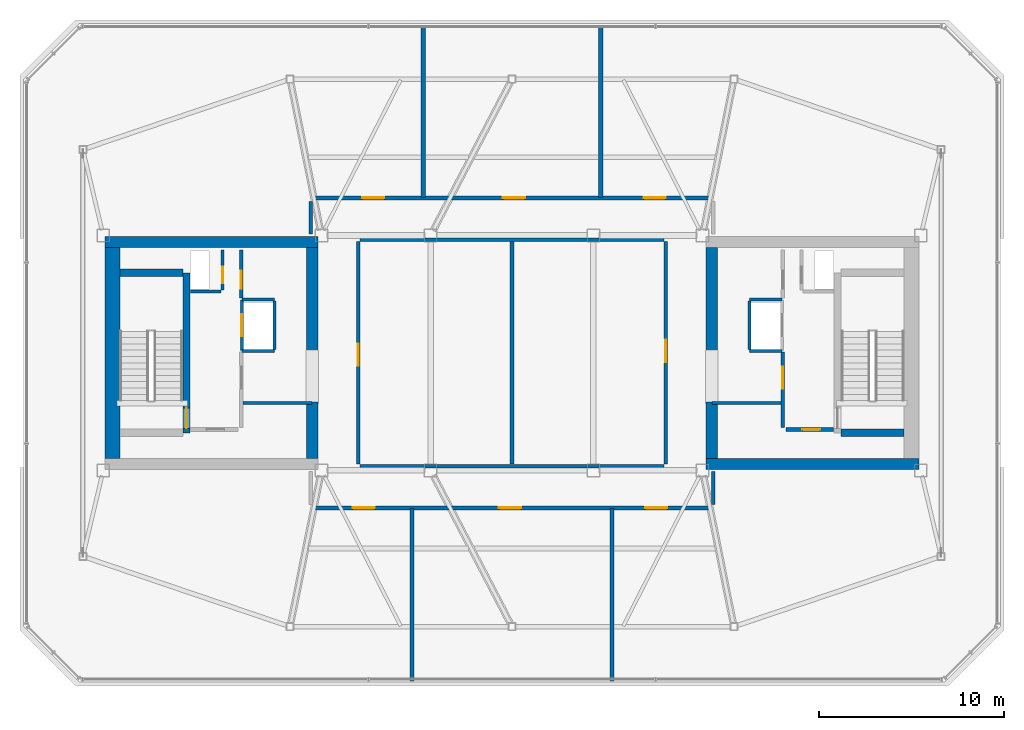
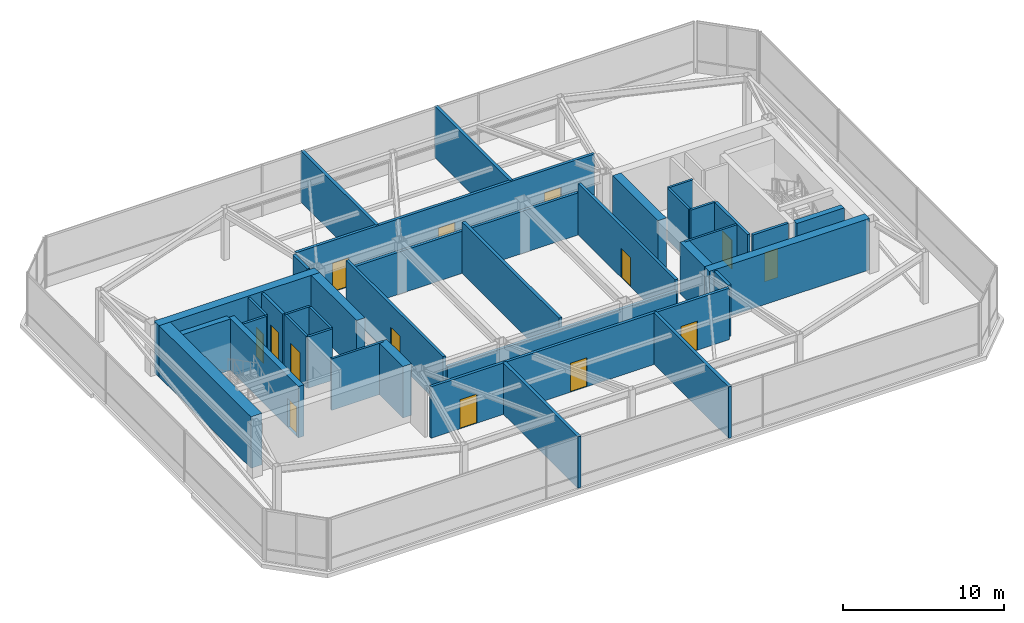
# One storey, part 17 of 21: 37 walls, 14 doors, 14 openings.
"""IFC4 building model written with IfcOpenShell, lengths in metres."""

from ifc_helpers import new_model, si_unit, direction, frame, frame_2d, origin, place, context, subcontext, project, spatial, rectangle, extrude, material, layer, layer_set, type_object, element, fill, save


model = new_model("IFC4")

# Units and contexts
model_context = context("Model", 3, precision=1e-05, world=origin(), true_north=direction((0.0, 1.0)))
body_context = subcontext(model_context, "Body", "Model", "MODEL_VIEW")
ifc_project = project(units=[si_unit("LENGTHUNIT", "METRE"), si_unit("AREAUNIT", "SQUARE_METRE"), si_unit("VOLUMEUNIT", "CUBIC_METRE"), si_unit("PLANEANGLEUNIT", "RADIAN"), si_unit("MASSUNIT", "GRAM", prefix="KILO")], contexts=[model_context])

# Site, building, storey
site_placement = place(None, origin())
site = spatial("IfcSite", under=ifc_project, at=site_placement, CompositionType="ELEMENT")
building_placement = place(site_placement, origin())
building = spatial("IfcBuilding", under=site, at=building_placement, Name="Tavrogorsk Clinical Tower", CompositionType="ELEMENT")
storey_placement = place(building_placement, frame((0.0, 0.0, 348.60009765625)))
storey = spatial("IfcBuildingStorey", under=building, at=storey_placement, Name="L81", CompositionType="ELEMENT", Elevation=348.60009765625)

# Wall, opening, door
ifc_material_1 = material(Name="Concrete B60", Category="concrete")
ifc_layer_1 = layer(ifc_material_1, 0.199951171875)
ifc_layer_set_1 = layer_set([ifc_layer_1], Name="Concrete B60")
wall_type_1 = type_object("IfcWallType", Name="CoreFireWall_200", PredefinedType="SOLIDWALL", material=ifc_layer_set_1)
wall_1_placement = place(storey_placement, frame((-14.639892578125, 2.9599609375, 0.0), z_axis=(0.0, 0.0, 1.0), x_axis=(0.0, 1.0, 0.0)))
wall_1 = element("IfcWall", 1, at=wall_1_placement, inside=storey, type_object=wall_type_1, Name="L81 Core West North Core Room East Wall", PredefinedType="SOLIDWALL", context=body_context, shape_type="SweptSolid", body=[
    extrude(rectangle(XDim=2.60009765625, YDim=0.199951171875, at=frame_2d((1.300048828125, 0.0))), origin(), (0.0, 0.0, 1.0), 3.89990234375),
])
opening_1_placement = place(wall_1_placement, frame((0.52001953125, 0.0, 0.0)))
opening_1 = element("IfcOpeningElement", 2, at=opening_1_placement, cuts=wall_1, Name="Opening ID-02", PredefinedType="OPENING", context=body_context, shape_type="SweptSolid", body=[
    extrude(rectangle(XDim=0.949951171875, YDim=2.199951171875, at=frame_2d((0.47509765625, 1.10009765625))), frame((0.0, 0.10986328125, 0.0), z_axis=(0.0, -1.0, 0.0), x_axis=(1.0, 0.0, 0.0)), (0.0, 0.0, 1.0), 0.219970703125),
])
ifc_material_2 = material(Name="Laminated timber leaf on aluminium frame", Category="wood")
door_type_1 = type_object("IfcDoorType", Name="InteriorDoor_ID02_950", OperationType="NOTDEFINED", PredefinedType="DOOR", material=ifc_material_2)
door_1_placement = place(opening_1_placement, origin())
door_1 = element("IfcDoor", 3, at=door_1_placement, inside=storey, type_object=door_type_1, Name="L81 Core West Core Telemetry Room Door", OperationType="SINGLE_SWING_LEFT", OverallHeight=2.199951171875, OverallWidth=0.949951171875, PredefinedType="DOOR", context=body_context, shape_type="SweptSolid", body=[
    extrude(rectangle(XDim=0.949951171875, YDim=2.199951171875, at=frame_2d((0.47509765625, 1.10009765625))), frame((0.0, 0.02490234375, 0.0), z_axis=(0.0, -1.0, 0.0), x_axis=(1.0, 0.0, 0.0)), (0.0, 0.0, 1.0), 0.050048828125),
])
fill(opening_1, door_1)

wall_2_placement = place(storey_placement, frame((14.824951171875, -4.139892578125, 0.0), z_axis=(0.0, 0.0, 1.0), x_axis=(1.0, 0.0, 0.0)))
wall_2 = element("IfcWall", 4, at=wall_2_placement, inside=storey, type_object=wall_type_1, Name="L81 Core East South Core Room Fire Wall", PredefinedType="SOLIDWALL", context=body_context, shape_type="SweptSolid", body=[
    extrude(rectangle(XDim=2.554931640625, YDim=0.199951171875, at=frame_2d((1.27734375, 0.0))), origin(), (0.0, 0.0, 1.0), 3.89990234375),
])
opening_2_placement = place(wall_2_placement, frame((0.8798828125, 0.0, 0.0)))
opening_2 = element("IfcOpeningElement", 5, at=opening_2_placement, cuts=wall_2, Name="Opening ID-02", PredefinedType="OPENING", context=body_context, shape_type="SweptSolid", body=[
    extrude(rectangle(XDim=0.949951171875, YDim=2.199951171875, at=frame_2d((0.47509765625, 1.10009765625))), frame((0.0, 0.10986328125, 0.0), z_axis=(0.0, -1.0, 0.0), x_axis=(1.0, 0.0, 0.0)), (0.0, 0.0, 1.0), 0.219970703125),
])
door_2_placement = place(opening_2_placement, origin())
door_2 = element("IfcDoor", 6, at=door_2_placement, inside=storey, type_object=door_type_1, Name="L81 Core East South Core Room Door", OperationType="SINGLE_SWING_RIGHT", OverallHeight=2.199951171875, OverallWidth=0.949951171875, PredefinedType="DOOR", context=body_context, shape_type="SweptSolid", body=[
    extrude(rectangle(XDim=0.949951171875, YDim=2.199951171875, at=frame_2d((0.47509765625, 1.10009765625))), frame((0.0, 0.02490234375, 0.0), z_axis=(0.0, -1.0, 0.0), x_axis=(1.0, 0.0, 0.0)), (0.0, 0.0, 1.0), 0.050048828125),
])
fill(opening_2, door_2)

wall_3_placement = place(storey_placement, frame((14.639892578125, -4.034912109375, 0.0), z_axis=(0.0, 0.0, 1.0), x_axis=(0.0, 1.0, 0.0)))
wall_3 = element("IfcWall", 7, at=wall_3_placement, inside=storey, type_object=wall_type_1, Name="L81 Core East Firefighting Lobby Fire Wall", PredefinedType="SOLIDWALL", context=body_context, shape_type="SweptSolid", body=[
    extrude(rectangle(XDim=4.074951171875, YDim=0.199951171875, at=frame_2d((2.03759765625, 0.0))), origin(), (0.0, 0.0, 1.0), 3.89990234375),
])
opening_3_placement = place(wall_3_placement, frame((2.090087890625, 0.0, 0.0)))
opening_3 = element("IfcOpeningElement", 8, at=opening_3_placement, cuts=wall_3, Name="Opening FD-01", PredefinedType="OPENING", context=body_context, shape_type="SweptSolid", body=[
    extrude(rectangle(XDim=1.199951171875, YDim=2.199951171875, at=frame_2d((0.60009765625, 1.10009765625))), frame((0.0, 0.10986328125, 0.0), z_axis=(0.0, -1.0, 0.0), x_axis=(1.0, 0.0, 0.0)), (0.0, 0.0, 1.0), 0.219970703125),
])
ifc_material_3 = material(Name="Galvanised steel fire-rated door assembly", Category="steel")
door_type_2 = type_object("IfcDoorType", Name="FireDoor_FD01_1200", OperationType="NOTDEFINED", PredefinedType="DOOR", material=ifc_material_3)
door_3_placement = place(opening_3_placement, origin())
door_3 = element("IfcDoor", 9, at=door_3_placement, inside=storey, type_object=door_type_2, Name="L81 Core East Firefighting Lobby Entry Door", OperationType="SINGLE_SWING_RIGHT", OverallHeight=2.199951171875, OverallWidth=1.199951171875, PredefinedType="DOOR", context=body_context, shape_type="SweptSolid", body=[
    extrude(rectangle(XDim=1.199951171875, YDim=2.199951171875, at=frame_2d((0.60009765625, 1.10009765625))), frame((0.0, 0.02490234375, 0.0), z_axis=(0.0, -1.0, 0.0), x_axis=(1.0, 0.0, 0.0)), (0.0, 0.0, 1.0), 0.050048828125),
])
fill(opening_3, door_3)

# Wall
wall_4_placement = place(storey_placement, frame((-10.8798828125, 6.419921875, 0.0), z_axis=(0.0, 0.0, 1.0), x_axis=(0.0, 1.0, 0.0)))
element("IfcWall", 10, at=wall_4_placement, inside=storey, type_object=wall_type_1, Name="L81 Crown Corridor Wall 02", PredefinedType="SOLIDWALL", context=body_context, shape_type="SweptSolid", body=[
    extrude(rectangle(XDim=1.775146484375, YDim=0.199951171875, at=frame_2d((0.8876953125, 0.0))), origin(), (0.0, 0.0, 1.0), 3.89990234375),
])

# Wall, openings, doors
wall_5_placement = place(storey_placement, frame((-10.695068359375, 8.3798828125, 0.0), z_axis=(0.0, 0.0, 1.0), x_axis=(1.0, 0.0, 0.0)))
wall_5 = element("IfcWall", 11, at=wall_5_placement, inside=storey, type_object=wall_type_1, Name="L81 Crown Corridor Wall 03", PredefinedType="SOLIDWALL", context=body_context, shape_type="SweptSolid", body=[
    extrude(rectangle(XDim=21.39013671875, YDim=0.199951171875, at=frame_2d((10.695068359375, 0.0))), origin(), (0.0, 0.0, 1.0), 3.89990234375),
])
opening_4_placement = place(wall_5_placement, frame((10.199951171875, 0.0, 0.0)))
opening_4 = element("IfcOpeningElement", 12, at=opening_4_placement, cuts=wall_5, Name="Opening FD-01", PredefinedType="OPENING", context=body_context, shape_type="SweptSolid", body=[
    extrude(rectangle(XDim=1.199951171875, YDim=2.199951171875, at=frame_2d((0.60009765625, 1.10009765625))), frame((0.0, 0.10986328125, 0.0), z_axis=(0.0, -1.0, 0.0), x_axis=(1.0, 0.0, 0.0)), (0.0, 0.0, 1.0), 0.219970703125),
])
opening_5_placement = place(wall_5_placement, frame((2.593994140625, 0.0, 0.0)))
opening_5 = element("IfcOpeningElement", 13, at=opening_5_placement, cuts=wall_5, Name="Opening FD-01", PredefinedType="OPENING", context=body_context, shape_type="SweptSolid", body=[
    extrude(rectangle(XDim=1.199951171875, YDim=2.199951171875, at=frame_2d((0.60009765625, 1.10009765625))), frame((0.0, 0.10986328125, 0.0), z_axis=(0.0, -1.0, 0.0), x_axis=(1.0, 0.0, 0.0)), (0.0, 0.0, 1.0), 0.219970703125),
])
opening_6_placement = place(wall_5_placement, frame((17.805908203125, 0.0, 0.0)))
opening_6 = element("IfcOpeningElement", 14, at=opening_6_placement, cuts=wall_5, Name="Opening FD-01", PredefinedType="OPENING", context=body_context, shape_type="SweptSolid", body=[
    extrude(rectangle(XDim=1.199951171875, YDim=2.199951171875, at=frame_2d((0.60009765625, 1.10009765625))), frame((0.0, 0.10986328125, 0.0), z_axis=(0.0, -1.0, 0.0), x_axis=(1.0, 0.0, 0.0)), (0.0, 0.0, 1.0), 0.219970703125),
])
door_4_placement = place(opening_4_placement, origin())
door_4 = element("IfcDoor", 15, at=door_4_placement, inside=storey, type_object=door_type_2, Name="L81 Medium-Voltage Transformer Plant N Door", OperationType="SINGLE_SWING_RIGHT", OverallHeight=2.199951171875, OverallWidth=1.199951171875, PredefinedType="DOOR", context=body_context, shape_type="SweptSolid", body=[
    extrude(rectangle(XDim=1.199951171875, YDim=2.199951171875, at=frame_2d((0.60009765625, 1.10009765625))), frame((0.0, 0.02490234375, 0.0), z_axis=(0.0, -1.0, 0.0), x_axis=(1.0, 0.0, 0.0)), (0.0, 0.0, 1.0), 0.050048828125),
])
fill(opening_4, door_4)
door_5_placement = place(opening_5_placement, origin())
door_5 = element("IfcDoor", 16, at=door_5_placement, inside=storey, type_object=door_type_2, Name="L81 Glycol Pump & Expansion Plant WN Door", OperationType="SINGLE_SWING_LEFT", OverallHeight=2.199951171875, OverallWidth=1.199951171875, PredefinedType="DOOR", context=body_context, shape_type="SweptSolid", body=[
    extrude(rectangle(XDim=1.199951171875, YDim=2.199951171875, at=frame_2d((0.60009765625, 1.10009765625))), frame((0.0, 0.02490234375, 0.0), z_axis=(0.0, -1.0, 0.0), x_axis=(1.0, 0.0, 0.0)), (0.0, 0.0, 1.0), 0.050048828125),
])
fill(opening_5, door_5)
door_6_placement = place(opening_6_placement, origin())
door_6 = element("IfcDoor", 17, at=door_6_placement, inside=storey, type_object=door_type_2, Name="L81 Glycol Pump & Expansion Plant EN Door", OperationType="SINGLE_SWING_RIGHT", OverallHeight=2.199951171875, OverallWidth=1.199951171875, PredefinedType="DOOR", context=body_context, shape_type="SweptSolid", body=[
    extrude(rectangle(XDim=1.199951171875, YDim=2.199951171875, at=frame_2d((0.60009765625, 1.10009765625))), frame((0.0, 0.02490234375, 0.0), z_axis=(0.0, -1.0, 0.0), x_axis=(1.0, 0.0, 0.0)), (0.0, 0.0, 1.0), 0.050048828125),
])
fill(opening_6, door_6)

# Wall
wall_6_placement = place(storey_placement, frame((10.8798828125, -6.419921875, 0.0), z_axis=(0.0, 0.0, 1.0), x_axis=(0.0, -1.0, 0.0)))
element("IfcWall", 18, at=wall_6_placement, inside=storey, type_object=wall_type_1, Name="L81 Crown Corridor Wall 05", PredefinedType="SOLIDWALL", context=body_context, shape_type="SweptSolid", body=[
    extrude(rectangle(XDim=1.775146484375, YDim=0.199951171875, at=frame_2d((0.8876953125, 0.0))), origin(), (0.0, 0.0, 1.0), 3.89990234375),
])

# Wall, openings, doors
wall_7_placement = place(storey_placement, frame((10.695068359375, -8.3798828125, 0.0), z_axis=(0.0, 0.0, 1.0), x_axis=(-1.0, 0.0, 0.0)))
wall_7 = element("IfcWall", 19, at=wall_7_placement, inside=storey, type_object=wall_type_1, Name="L81 Crown Corridor Wall 06", PredefinedType="SOLIDWALL", context=body_context, shape_type="SweptSolid", body=[
    extrude(rectangle(XDim=21.39013671875, YDim=0.199951171875, at=frame_2d((10.695068359375, 0.0))), origin(), (0.0, 0.0, 1.0), 3.89990234375),
])
opening_7_placement = place(wall_7_placement, frame((10.199951171875, 0.0, 0.0)))
opening_7 = element("IfcOpeningElement", 20, at=opening_7_placement, cuts=wall_7, Name="Opening FD-01", PredefinedType="OPENING", context=body_context, shape_type="SweptSolid", body=[
    extrude(rectangle(XDim=1.199951171875, YDim=2.199951171875, at=frame_2d((0.60009765625, 1.10009765625))), frame((0.0, 0.10986328125, 0.0), z_axis=(0.0, -1.0, 0.0), x_axis=(1.0, 0.0, 0.0)), (0.0, 0.0, 1.0), 0.219970703125),
])
opening_8_placement = place(wall_7_placement, frame((18.10595703125, 0.0, 0.0)))
opening_8 = element("IfcOpeningElement", 21, at=opening_8_placement, cuts=wall_7, Name="Opening FD-01", PredefinedType="OPENING", context=body_context, shape_type="SweptSolid", body=[
    extrude(rectangle(XDim=1.199951171875, YDim=2.199951171875, at=frame_2d((0.60009765625, 1.10009765625))), frame((0.0, 0.10986328125, 0.0), z_axis=(0.0, -1.0, 0.0), x_axis=(1.0, 0.0, 0.0)), (0.0, 0.0, 1.0), 0.219970703125),
])
opening_9_placement = place(wall_7_placement, frame((2.294189453125, 0.0, 0.0)))
opening_9 = element("IfcOpeningElement", 22, at=opening_9_placement, cuts=wall_7, Name="Opening FD-01", PredefinedType="OPENING", context=body_context, shape_type="SweptSolid", body=[
    extrude(rectangle(XDim=1.199951171875, YDim=2.199951171875, at=frame_2d((0.60009765625, 1.10009765625))), frame((0.0, 0.10986328125, 0.0), z_axis=(0.0, -1.0, 0.0), x_axis=(1.0, 0.0, 0.0)), (0.0, 0.0, 1.0), 0.219970703125),
])
door_7_placement = place(opening_7_placement, origin())
door_7 = element("IfcDoor", 23, at=door_7_placement, inside=storey, type_object=door_type_2, Name="L81 Heat-Recovery & Smoke AHU Plant S Door", OperationType="SINGLE_SWING_LEFT", OverallHeight=2.199951171875, OverallWidth=1.199951171875, PredefinedType="DOOR", context=body_context, shape_type="SweptSolid", body=[
    extrude(rectangle(XDim=1.199951171875, YDim=2.199951171875, at=frame_2d((0.60009765625, 1.10009765625))), frame((0.0, 0.02490234375, 0.0), z_axis=(0.0, -1.0, 0.0), x_axis=(1.0, 0.0, 0.0)), (0.0, 0.0, 1.0), 0.050048828125),
])
fill(opening_7, door_7)
door_8_placement = place(opening_8_placement, origin())
door_8 = element("IfcDoor", 24, at=door_8_placement, inside=storey, type_object=door_type_2, Name="L81 Pressurisation Fan Plant WS Door", OperationType="SINGLE_SWING_LEFT", OverallHeight=2.199951171875, OverallWidth=1.199951171875, PredefinedType="DOOR", context=body_context, shape_type="SweptSolid", body=[
    extrude(rectangle(XDim=1.199951171875, YDim=2.199951171875, at=frame_2d((0.60009765625, 1.10009765625))), frame((0.0, 0.02490234375, 0.0), z_axis=(0.0, -1.0, 0.0), x_axis=(1.0, 0.0, 0.0)), (0.0, 0.0, 1.0), 0.050048828125),
])
fill(opening_8, door_8)
door_9_placement = place(opening_9_placement, origin())
door_9 = element("IfcDoor", 25, at=door_9_placement, inside=storey, type_object=door_type_2, Name="L81 Pressurisation Fan Plant ES Door", OperationType="SINGLE_SWING_RIGHT", OverallHeight=2.199951171875, OverallWidth=1.199951171875, PredefinedType="DOOR", context=body_context, shape_type="SweptSolid", body=[
    extrude(rectangle(XDim=1.199951171875, YDim=2.199951171875, at=frame_2d((0.60009765625, 1.10009765625))), frame((0.0, 0.02490234375, 0.0), z_axis=(0.0, -1.0, 0.0), x_axis=(1.0, 0.0, 0.0)), (0.0, 0.0, 1.0), 0.050048828125),
])
fill(opening_9, door_9)

# Wall, opening, door
wall_8_placement = place(storey_placement, frame((8.320068359375, -6.014892578125, 0.0), z_axis=(0.0, 0.0, 1.0), x_axis=(0.0, 1.0, 0.0)))
wall_8 = element("IfcWall", 26, at=wall_8_placement, inside=storey, type_object=wall_type_1, Name="L81 Crown Corridor Wall 07", PredefinedType="SOLIDWALL", context=body_context, shape_type="SweptSolid", body=[
    extrude(rectangle(XDim=12.02978515625, YDim=0.199951171875, at=frame_2d((6.014892578125, 0.0))), origin(), (0.0, 0.0, 1.0), 3.89990234375),
])
opening_10_placement = place(wall_8_placement, frame((5.52001953125, 0.0, 0.0)))
opening_10 = element("IfcOpeningElement", 27, at=opening_10_placement, cuts=wall_8, Name="Opening FD-01", PredefinedType="OPENING", context=body_context, shape_type="SweptSolid", body=[
    extrude(rectangle(XDim=1.199951171875, YDim=2.199951171875, at=frame_2d((0.60009765625, 1.10009765625))), frame((0.0, 0.10986328125, 0.0), z_axis=(0.0, -1.0, 0.0), x_axis=(1.0, 0.0, 0.0)), (0.0, 0.0, 1.0), 0.219970703125),
])
door_10_placement = place(opening_10_placement, origin())
door_10 = element("IfcDoor", 28, at=door_10_placement, inside=storey, type_object=door_type_2, Name="L81 East Helipad Power & UPS Plant Door", OperationType="SINGLE_SWING_RIGHT", OverallHeight=2.199951171875, OverallWidth=1.199951171875, PredefinedType="DOOR", context=body_context, shape_type="SweptSolid", body=[
    extrude(rectangle(XDim=1.199951171875, YDim=2.199951171875, at=frame_2d((0.60009765625, 1.10009765625))), frame((0.0, 0.02490234375, 0.0), z_axis=(0.0, -1.0, 0.0), x_axis=(1.0, 0.0, 0.0)), (0.0, 0.0, 1.0), 0.050048828125),
])
fill(opening_10, door_10)

# Wall
wall_9_placement = place(storey_placement, frame((8.215087890625, 6.1201171875, 0.0), z_axis=(0.0, 0.0, 1.0), x_axis=(-1.0, 0.0, 0.0)))
element("IfcWall", 29, at=wall_9_placement, inside=storey, type_object=wall_type_1, Name="L81 Crown Corridor Wall 08", PredefinedType="SOLIDWALL", context=body_context, shape_type="SweptSolid", body=[
    extrude(rectangle(XDim=16.43017578125, YDim=0.199951171875, at=frame_2d((8.215087890625, 0.0))), origin(), (0.0, 0.0, 1.0), 3.19482421875),
])

# Wall, opening, door
wall_10_placement = place(storey_placement, frame((-8.320068359375, 6.014892578125, 0.0), z_axis=(0.0, 0.0, 1.0), x_axis=(0.0, -1.0, 0.0)))
wall_10 = element("IfcWall", 30, at=wall_10_placement, inside=storey, type_object=wall_type_1, Name="L81 Crown Corridor Wall 09", PredefinedType="SOLIDWALL", context=body_context, shape_type="SweptSolid", body=[
    extrude(rectangle(XDim=12.02978515625, YDim=0.199951171875, at=frame_2d((6.014892578125, 0.0))), origin(), (0.0, 0.0, 1.0), 3.89990234375),
])
opening_11_placement = place(wall_10_placement, frame((5.52001953125, 0.0, 0.0)))
opening_11 = element("IfcOpeningElement", 31, at=opening_11_placement, cuts=wall_10, Name="Opening FD-01", PredefinedType="OPENING", context=body_context, shape_type="SweptSolid", body=[
    extrude(rectangle(XDim=1.199951171875, YDim=2.199951171875, at=frame_2d((0.60009765625, 1.10009765625))), frame((0.0, 0.10986328125, 0.0), z_axis=(0.0, -1.0, 0.0), x_axis=(1.0, 0.0, 0.0)), (0.0, 0.0, 1.0), 0.219970703125),
])
door_11_placement = place(opening_11_placement, origin())
door_11 = element("IfcDoor", 32, at=door_11_placement, inside=storey, type_object=door_type_2, Name="L81 West Broadcast Telemetry Plant Door", OperationType="SINGLE_SWING_LEFT", OverallHeight=2.199951171875, OverallWidth=1.199951171875, PredefinedType="DOOR", context=body_context, shape_type="SweptSolid", body=[
    extrude(rectangle(XDim=1.199951171875, YDim=2.199951171875, at=frame_2d((0.60009765625, 1.10009765625))), frame((0.0, 0.02490234375, 0.0), z_axis=(0.0, -1.0, 0.0), x_axis=(1.0, 0.0, 0.0)), (0.0, 0.0, 1.0), 0.050048828125),
])
fill(opening_11, door_11)

# Walls
wall_11_placement = place(storey_placement, frame((-8.215087890625, -6.1201171875, 0.0), z_axis=(0.0, 0.0, 1.0), x_axis=(1.0, 0.0, 0.0)))
element("IfcWall", 33, at=wall_11_placement, inside=storey, type_object=wall_type_1, Name="L81 Crown Corridor Wall 10", PredefinedType="SOLIDWALL", context=body_context, shape_type="SweptSolid", body=[
    extrude(rectangle(XDim=16.43017578125, YDim=0.199951171875, at=frame_2d((8.215087890625, 0.0))), origin(), (0.0, 0.0, 1.0), 3.19482421875),
])
ifc_material_4 = material(Name="Lightweight concrete blockwork B15", Category="masonry")
ifc_layer_2 = layer(ifc_material_4, 0.159912109375)
ifc_layer_set_2 = layer_set([ifc_layer_2], Name="Lightweight concrete blockwork B15")
wall_type_2 = type_object("IfcWallType", Name="PartitionWall_160", PredefinedType="PARTITIONING", material=ifc_layer_set_2)
for number, where, z_axis, x_axis, name in (
    (34, (-14.534912109375, -2.699951171875, 0.0), (0.0, 0.0, 1.0), (1.0, 0.0, 0.0), "L81 Core West Freed Mid-Bank North Partition"),
    (35, (10.800048828125, -2.699951171875, 0.0), (0.0, 0.0, 1.0), (1.0, 0.0, 0.0), "L81 Core East Freed Mid-Bank North Partition"),
):
    element("IfcWall", number, at=place(storey_placement, frame(where, z_axis=z_axis, x_axis=x_axis)), inside=storey, type_object=wall_type_2, Name=name, PredefinedType="PARTITIONING", context=body_context, shape_type="SweptSolid", body=[
        extrude(rectangle(XDim=3.73486328125, YDim=0.159912109375, at=frame_2d((1.867431640625, 0.0))), origin(), (0.0, 0.0, 1.0), 3.89990234375),
    ])
ifc_material_5 = material(Name="Concrete B45", Category="concrete")
ifc_layer_3 = layer(ifc_material_5, 0.219970703125)
ifc_layer_set_3 = layer_set([ifc_layer_3], Name="Concrete B45")
wall_type_3 = type_object("IfcWallType", Name="PartitionWall_220", PredefinedType="SOLIDWALL", material=ifc_layer_set_3)
for number, where, z_axis, x_axis, name in (
    (36, (-5.39990234375, -17.72998046875, 0.0), (0.0, 0.0, 1.0), (0.0, 1.0, 0.0), "L81 Crown Partition 1"),
    (37, (5.39990234375, -17.72998046875, 0.0), (0.0, 0.0, 1.0), (0.0, 1.0, 0.0), "L81 Crown Partition 2"),
    (38, (-4.800048828125, 8.405029296875, 0.0), (0.0, 0.0, 1.0), (0.0, 1.0, 0.0), "L81 Crown Partition 3"),
    (39, (4.800048828125, 8.405029296875, 0.0), (0.0, 0.0, 1.0), (0.0, 1.0, 0.0), "L81 Crown Partition 4"),
):
    element("IfcWall", number, at=place(storey_placement, frame(where, z_axis=z_axis, x_axis=x_axis)), inside=storey, type_object=wall_type_3, Name=name, PredefinedType="SOLIDWALL", context=body_context, shape_type="SweptSolid", body=[
        extrude(rectangle(XDim=9.324951171875, YDim=0.219970703125, at=frame_2d((4.66259765625, 0.0))), origin(), (0.0, 0.0, 1.0), 3.89990234375),
    ])
wall_12_placement = place(storey_placement, frame((0.0, -6.014892578125, 0.0), z_axis=(0.0, 0.0, 1.0), x_axis=(0.0, 1.0, 0.0)))
element("IfcWall", 40, at=wall_12_placement, inside=storey, type_object=wall_type_3, Name="L81 Crown Partition 5", PredefinedType="SOLIDWALL", context=body_context, shape_type="SweptSolid", body=[
    extrude(rectangle(XDim=12.02978515625, YDim=0.219970703125, at=frame_2d((6.014892578125, 0.0))), origin(), (0.0, 0.0, 1.0), 3.89990234375),
])

# Wall, opening, door
ifc_material_6 = material(Name="Lightweight concrete blockwork B25", Category="masonry")
ifc_layer_4 = layer(ifc_material_6, 0.159912109375)
ifc_layer_set_4 = layer_set([ifc_layer_4], Name="Lightweight concrete blockwork B25")
wall_type_4 = type_object("IfcWallType", Name="ShaftWall_160", PredefinedType="PARTITIONING", material=ifc_layer_set_4)
wall_13_placement = place(storey_placement, frame((-14.60009765625, 0.1201171875, 0.0), z_axis=(0.0, 0.0, 1.0), x_axis=(0.0, 1.0, 0.0)))
wall_13 = element("IfcWall", 41, at=wall_13_placement, inside=storey, type_object=wall_type_4, Name="L81 FFL-W Firefighting Lift Front Wall", PredefinedType="PARTITIONING", context=body_context, shape_type="SweptSolid", body=[
    extrude(rectangle(XDim=2.739990234375, YDim=0.159912109375, at=frame_2d((1.3701171875, 0.0))), origin(), (0.0, 0.0, 1.0), 3.89990234375),
])
opening_12_placement = place(wall_13_placement, frame((0.77001953125, 0.0, 0.0)))
opening_12 = element("IfcOpeningElement", 42, at=opening_12_placement, cuts=wall_13, Name="Opening LD", PredefinedType="OPENING", context=body_context, shape_type="SweptSolid", body=[
    extrude(rectangle(XDim=1.199951171875, YDim=2.199951171875, at=frame_2d((0.60009765625, 1.10009765625))), frame((0.0, 0.08984375, 0.0), z_axis=(0.0, -1.0, 0.0), x_axis=(1.0, 0.0, 0.0)), (0.0, 0.0, 1.0), 0.179931640625),
])
ifc_material_7 = material(Name="Brushed stainless steel AISI 304 sliding doors", Category="steel")
door_type_3 = type_object("IfcDoorType", Name="LiftLandingDoor_LD_1200", OperationType="SLIDING_TO_LEFT", PredefinedType="DOOR", material=ifc_material_7)
door_12_placement = place(opening_12_placement, origin())
door_12 = element("IfcDoor", 43, at=door_12_placement, inside=storey, type_object=door_type_3, Name="L81 FFL-W Sliding Lift Landing Door", OperationType="SLIDING_TO_LEFT", OverallHeight=2.199951171875, OverallWidth=1.199951171875, PredefinedType="DOOR", context=body_context, shape_type="SweptSolid", body=[
    extrude(rectangle(XDim=1.199951171875, YDim=2.199951171875, at=frame_2d((0.60009765625, 1.10009765625))), frame((0.0, 0.02490234375, 0.0), z_axis=(0.0, -1.0, 0.0), x_axis=(1.0, 0.0, 0.0)), (0.0, 0.0, 1.0), 0.050048828125),
])
fill(opening_12, door_12)

# Walls
for number, where, z_axis, x_axis, name in (
    (44, (-14.60009765625, 0.10009765625, 0.0), (0.0, 0.0, 1.0), (1.0, 0.0, 0.0), "L81 FFL-W Shaft South Wall"),
    (45, (-14.60009765625, 2.8798828125, 0.0), (0.0, 0.0, 1.0), (1.0, 0.0, 0.0), "L81 FFL-W Shaft North Wall"),
):
    element("IfcWall", number, at=place(storey_placement, frame(where, z_axis=z_axis, x_axis=x_axis)), inside=storey, type_object=wall_type_4, Name=name, PredefinedType="PARTITIONING", context=body_context, shape_type="SweptSolid", body=[
        extrude(rectangle(XDim=1.760009765625, YDim=0.159912109375, at=frame_2d((0.8798828125, 0.0))), origin(), (0.0, 0.0, 1.0), 3.89990234375),
    ])
wall_14_placement = place(storey_placement, frame((-12.840087890625, 0.179931640625, 0.0), z_axis=(0.0, 0.0, 1.0), x_axis=(0.0, 1.0, 0.0)))
element("IfcWall", 46, at=wall_14_placement, inside=storey, type_object=wall_type_4, Name="L81 FFL-W Shaft Back Wall", PredefinedType="PARTITIONING", context=body_context, shape_type="SweptSolid", body=[
    extrude(rectangle(XDim=2.6201171875, YDim=0.159912109375, at=frame_2d((1.31005859375, 0.0))), origin(), (0.0, 0.0, 1.0), 3.89990234375),
])
for number, where, z_axis, x_axis, name in (
    (47, (12.840087890625, 0.10009765625, 0.0), (0.0, 0.0, 1.0), (1.0, 0.0, 0.0), "L81 FFL-E Shaft South Wall"),
    (48, (12.840087890625, 2.8798828125, 0.0), (0.0, 0.0, 1.0), (1.0, 0.0, 0.0), "L81 FFL-E Shaft North Wall"),
):
    element("IfcWall", number, at=place(storey_placement, frame(where, z_axis=z_axis, x_axis=x_axis)), inside=storey, type_object=wall_type_4, Name=name, PredefinedType="PARTITIONING", context=body_context, shape_type="SweptSolid", body=[
        extrude(rectangle(XDim=1.760009765625, YDim=0.159912109375, at=frame_2d((0.8798828125, 0.0))), origin(), (0.0, 0.0, 1.0), 3.89990234375),
    ])
wall_15_placement = place(storey_placement, frame((12.840087890625, 0.179931640625, 0.0), z_axis=(0.0, 0.0, 1.0), x_axis=(0.0, 1.0, 0.0)))
element("IfcWall", 49, at=wall_15_placement, inside=storey, type_object=wall_type_4, Name="L81 FFL-E Shaft Back Wall", PredefinedType="PARTITIONING", context=body_context, shape_type="SweptSolid", body=[
    extrude(rectangle(XDim=2.6201171875, YDim=0.159912109375, at=frame_2d((1.31005859375, 0.0))), origin(), (0.0, 0.0, 1.0), 3.89990234375),
])

# Wall, opening, door
wall_16_placement = place(storey_placement, frame((-15.639892578125, 3.405029296875, 0.0), z_axis=(0.0, 0.0, 1.0), x_axis=(0.0, 1.0, 0.0)))
wall_16 = element("IfcWall", 50, at=wall_16_placement, inside=storey, type_object=wall_type_4, Name="L81 Core West Riser West Wall", PredefinedType="PARTITIONING", context=body_context, shape_type="SweptSolid", body=[
    extrude(rectangle(XDim=2.155029296875, YDim=0.159912109375, at=frame_2d((1.07763671875, 0.0))), origin(), (0.0, 0.0, 1.0), 3.89990234375),
])
opening_13_placement = place(wall_16_placement, frame((0.35009765625, 0.0, 0.0)))
opening_13 = element("IfcOpeningElement", 51, at=opening_13_placement, cuts=wall_16, Name="Opening FD-02", PredefinedType="OPENING", context=body_context, shape_type="SweptSolid", body=[
    extrude(rectangle(XDim=0.89990234375, YDim=2.199951171875, at=frame_2d((0.449951171875, 1.10009765625))), frame((0.0, 0.08984375, 0.0), z_axis=(0.0, -1.0, 0.0), x_axis=(1.0, 0.0, 0.0)), (0.0, 0.0, 1.0), 0.179931640625),
])
ifc_material_8 = material(Name="Galvanised steel fire-rated door assembly", Category="steel")
door_type_4 = type_object("IfcDoorType", Name="FireDoor_FD02_900", OperationType="NOTDEFINED", PredefinedType="DOOR", material=ifc_material_8)
door_13_placement = place(opening_13_placement, origin())
door_13 = element("IfcDoor", 52, at=door_13_placement, inside=storey, type_object=door_type_4, Name="L81 Core West Electrical Riser Access Door", OperationType="SINGLE_SWING_LEFT", OverallHeight=2.199951171875, OverallWidth=0.89990234375, PredefinedType="DOOR", context=body_context, shape_type="SweptSolid", body=[
    extrude(rectangle(XDim=0.89990234375, YDim=2.199951171875, at=frame_2d((0.449951171875, 1.10009765625))), frame((0.0, 0.02490234375, 0.0), z_axis=(0.0, -1.0, 0.0), x_axis=(1.0, 0.0, 0.0)), (0.0, 0.0, 1.0), 0.050048828125),
])
fill(opening_13, door_13)

# Wall
wall_17_placement = place(storey_placement, frame((-17.3798828125, 3.320068359375, 0.0), z_axis=(0.0, 0.0, 1.0), x_axis=(1.0, 0.0, 0.0)))
element("IfcWall", 53, at=wall_17_placement, inside=storey, type_object=wall_type_4, Name="L81 Core West Riser South Wall", PredefinedType="PARTITIONING", context=body_context, shape_type="SweptSolid", body=[
    extrude(rectangle(XDim=1.65478515625, YDim=0.159912109375, at=frame_2d((0.827392578125, 0.0))), origin(), (0.0, 0.0, 1.0), 3.89990234375),
])

# Wall, opening, door
ifc_material_9 = material(Name="Concrete B80", Category="concrete")
ifc_layer_5 = layer(ifc_material_9, 0.39990234375)
ifc_layer_set_5 = layer_set([ifc_layer_5], Name="Concrete B80")
wall_type_5 = type_object("IfcWallType", Name="ShearWall_400", PredefinedType="SHEAR", material=ifc_layer_set_5)
wall_18_placement = place(storey_placement, frame((-17.60009765625, -4.324951171875, 0.0), z_axis=(0.0, 0.0, 1.0), x_axis=(0.0, 1.0, 0.0)))
wall_18 = element("IfcWall", 54, at=wall_18_placement, inside=storey, type_object=wall_type_5, Name="L81 Core West Stair Shaft Inner Shear Wall", PredefinedType="SHEAR", context=body_context, shape_type="SweptSolid", body=[
    extrude(rectangle(XDim=8.64990234375, YDim=0.39990234375, at=frame_2d((4.324951171875, 0.0))), origin(), (0.0, 0.0, 1.0), 3.89990234375),
])
opening_14_placement = place(wall_18_placement, frame((0.25, 0.0, 0.0)))
opening_14 = element("IfcOpeningElement", 55, at=opening_14_placement, cuts=wall_18, Name="Opening SD-01", PredefinedType="OPENING", context=body_context, shape_type="SweptSolid", body=[
    extrude(rectangle(XDim=1.10009765625, YDim=2.199951171875, at=frame_2d((0.550048828125, 1.10009765625))), frame((0.0, 0.2099609375, 0.0), z_axis=(0.0, -1.0, 0.0), x_axis=(1.0, 0.0, 0.0)), (0.0, 0.0, 1.0), 0.419921875),
])
ifc_material_10 = material(Name="Galvanised steel smoke-tight fire door assembly", Category="steel")
door_type_5 = type_object("IfcDoorType", Name="StairFireDoor_SD01_1100", OperationType="NOTDEFINED", PredefinedType="DOOR", material=ifc_material_10)
door_14_placement = place(opening_14_placement, origin())
door_14 = element("IfcDoor", 56, at=door_14_placement, inside=storey, type_object=door_type_5, Name="L81 ST-W Exit Stair Door", OperationType="SINGLE_SWING_RIGHT", OverallHeight=2.199951171875, OverallWidth=1.10009765625, PredefinedType="DOOR", context=body_context, shape_type="SweptSolid", body=[
    extrude(rectangle(XDim=1.10009765625, YDim=2.199951171875, at=frame_2d((0.550048828125, 1.10009765625))), frame((0.0, 0.02490234375, 0.0), z_axis=(0.0, -1.0, 0.0), x_axis=(1.0, 0.0, 0.0)), (0.0, 0.0, 1.0), 0.050048828125),
])
fill(opening_14, door_14)

# Walls
for number, where, z_axis, x_axis, name in (
    (57, (-21.199951171875, 4.324951171875, 0.0), (0.0, 0.0, 1.0), (1.0, 0.0, 0.0), "L81 Core West Stair Shaft North Shear Wall"),
    (58, (17.800048828125, -4.324951171875, 0.0), (0.0, 0.0, 1.0), (1.0, 0.0, 0.0), "L81 Core East Stair Shaft South Shear Wall"),
):
    element("IfcWall", number, at=place(storey_placement, frame(where, z_axis=z_axis, x_axis=x_axis)), inside=storey, type_object=wall_type_5, Name=name, PredefinedType="SHEAR", context=body_context, shape_type="SweptSolid", body=[
        extrude(rectangle(XDim=3.39990234375, YDim=0.39990234375, at=frame_2d((1.699951171875, 0.0))), origin(), (0.0, 0.0, 1.0), 3.89990234375),
    ])
ifc_material_11 = material(Name="Concrete B80", Category="concrete")
ifc_layer_6 = layer(ifc_material_11, 0.60009765625)
ifc_layer_set_6 = layer_set([ifc_layer_6], Name="Concrete B80")
wall_type_6 = type_object("IfcWallType", Name="ShearWall_600", PredefinedType="SHEAR", material=ifc_layer_set_6)
wall_19_placement = place(storey_placement, frame((-22.0, 6.0, 0.0), z_axis=(0.0, 0.0, 1.0), x_axis=(1.0, 0.0, 0.0)))
element("IfcWall", 59, at=wall_19_placement, inside=storey, type_object=wall_type_6, Name="L81 Core West North Shear Wall", PredefinedType="SHEAR", context=body_context, shape_type="SweptSolid", body=[
    extrude(rectangle(XDim=11.5, YDim=0.60009765625, at=frame_2d((5.75, 0.0))), origin(), (0.0, 0.0, 1.0), 3.89990234375),
])
wall_20_placement = place(storey_placement, frame((-10.800048828125, -5.699951171875, 0.0), z_axis=(0.0, 0.0, 1.0), x_axis=(0.0, 1.0, 0.0)))
element("IfcWall", 60, at=wall_20_placement, inside=storey, type_object=wall_type_6, Name="L81 Core West Inner South Pier", PredefinedType="SHEAR", context=body_context, shape_type="SweptSolid", body=[
    extrude(rectangle(XDim=3.050048828125, YDim=0.60009765625, at=frame_2d((1.52490234375, 0.0))), origin(), (0.0, 0.0, 1.0), 3.89990234375),
])
wall_21_placement = place(storey_placement, frame((-10.800048828125, 0.050048828125, 0.0), z_axis=(0.0, 0.0, 1.0), x_axis=(0.0, 1.0, 0.0)))
element("IfcWall", 61, at=wall_21_placement, inside=storey, type_object=wall_type_6, Name="L81 Core West Inner North Pier", PredefinedType="SHEAR", context=body_context, shape_type="SweptSolid", body=[
    extrude(rectangle(XDim=5.64990234375, YDim=0.60009765625, at=frame_2d((2.824951171875, 0.0))), origin(), (0.0, 0.0, 1.0), 3.89990234375),
])
wall_22_placement = place(storey_placement, frame((10.5, -6.0, 0.0), z_axis=(0.0, 0.0, 1.0), x_axis=(1.0, 0.0, 0.0)))
element("IfcWall", 62, at=wall_22_placement, inside=storey, type_object=wall_type_6, Name="L81 Core East South Shear Wall", PredefinedType="SHEAR", context=body_context, shape_type="SweptSolid", body=[
    extrude(rectangle(XDim=11.5, YDim=0.60009765625, at=frame_2d((5.75, 0.0))), origin(), (0.0, 0.0, 1.0), 3.89990234375),
])
wall_23_placement = place(storey_placement, frame((10.800048828125, -5.699951171875, 0.0), z_axis=(0.0, 0.0, 1.0), x_axis=(0.0, 1.0, 0.0)))
element("IfcWall", 63, at=wall_23_placement, inside=storey, type_object=wall_type_6, Name="L81 Core East Inner South Pier", PredefinedType="SHEAR", context=body_context, shape_type="SweptSolid", body=[
    extrude(rectangle(XDim=3.050048828125, YDim=0.60009765625, at=frame_2d((1.52490234375, 0.0))), origin(), (0.0, 0.0, 1.0), 3.89990234375),
])
wall_24_placement = place(storey_placement, frame((10.800048828125, 0.050048828125, 0.0), z_axis=(0.0, 0.0, 1.0), x_axis=(0.0, 1.0, 0.0)))
element("IfcWall", 64, at=wall_24_placement, inside=storey, type_object=wall_type_6, Name="L81 Core East Inner North Pier", PredefinedType="SHEAR", context=body_context, shape_type="SweptSolid", body=[
    extrude(rectangle(XDim=5.64990234375, YDim=0.60009765625, at=frame_2d((2.824951171875, 0.0))), origin(), (0.0, 0.0, 1.0), 3.89990234375),
])
ifc_material_12 = material(Name="Concrete B80", Category="concrete")
ifc_layer_7 = layer(ifc_material_12, 0.800048828125)
ifc_layer_set_7 = layer_set([ifc_layer_7], Name="Concrete B80")
wall_type_7 = type_object("IfcWallType", Name="ShearWall_800", PredefinedType="SHEAR", material=ifc_layer_set_7)
wall_25_placement = place(storey_placement, frame((-21.60009765625, -5.699951171875, 0.0), z_axis=(0.0, 0.0, 1.0), x_axis=(0.0, 1.0, 0.0)))
element("IfcWall", 65, at=wall_25_placement, inside=storey, type_object=wall_type_7, Name="L81 Core West End Shear Wall", PredefinedType="SHEAR", context=body_context, shape_type="SweptSolid", body=[
    extrude(rectangle(XDim=11.39990234375, YDim=0.800048828125, at=frame_2d((5.699951171875, 0.0))), origin(), (0.0, 0.0, 1.0), 3.89990234375),
])

save(model, "model.ifc")
